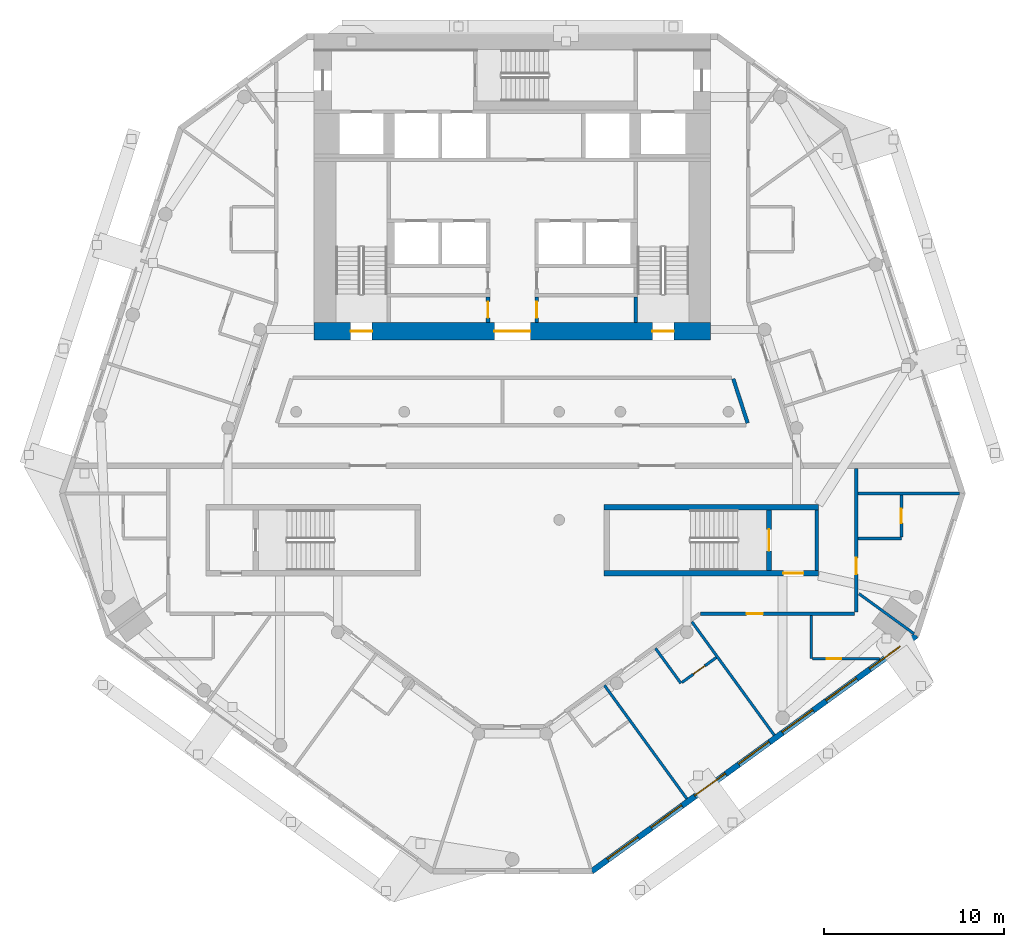
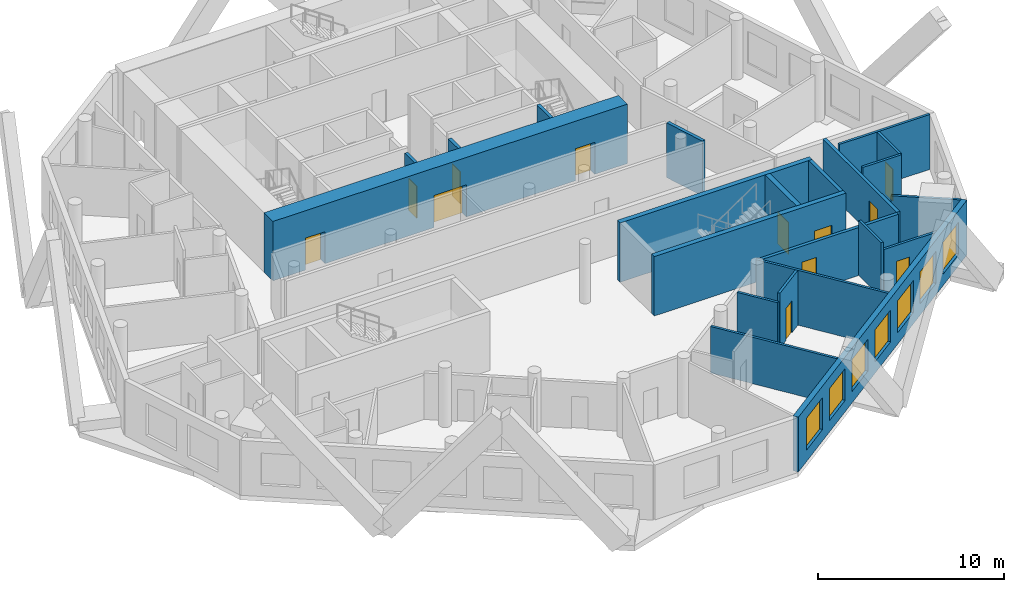
# One storey, part 5 of 10: 22 walls, 12 doors, 7 windows, 19 openings.
"""IFC4 building model written with IfcOpenShell, lengths in metres."""

from ifc_helpers import new_model, si_unit, direction, frame, frame_2d, origin, place, context, subcontext, project, spatial, rectangle, extrude, material, layer, layer_set, type_object, element, fill, save


model = new_model("IFC4")

# Units and contexts
model_context = context("Model", 3, precision=1e-05, world=origin(), true_north=direction((0.0, 1.0)))
body_context = subcontext(model_context, "Body", "Model", "MODEL_VIEW")
ifc_project = project(units=[si_unit("LENGTHUNIT", "METRE"), si_unit("AREAUNIT", "SQUARE_METRE"), si_unit("VOLUMEUNIT", "CUBIC_METRE"), si_unit("PLANEANGLEUNIT", "RADIAN"), si_unit("MASSUNIT", "GRAM", prefix="KILO")], contexts=[model_context])

# Site, building, storey
site_placement = place(None, origin())
site = spatial("IfcSite", under=ifc_project, at=site_placement, CompositionType="ELEMENT")
building_placement = place(site_placement, origin())
building = spatial("IfcBuilding", under=site, at=building_placement, Name="White Candle Pilgrim Tower", CompositionType="ELEMENT")
storey_placement = place(building_placement, frame((0.0, 0.0, 183.699951171875)))
storey = spatial("IfcBuildingStorey", under=building, at=storey_placement, Name="L42", CompositionType="ELEMENT", Elevation=183.699951171875)

# Wall
ifc_material_1 = material(Name="Concrete C60/75", Category="concrete")
ifc_layer_1 = layer(ifc_material_1, 0.199951171875)
ifc_layer_set_1 = layer_set([ifc_layer_1], Name="Core wall 200 mm Concrete C60/75")
wall_type_1 = type_object("IfcWallType", Name="Core wall 200 mm Concrete C60/75", PredefinedType="SHEAR", material=ifc_layer_set_1)
wall_1_placement = place(storey_placement, frame((86.89990234375, 58.199951171875, 0.0), z_axis=(0.0, 0.0, 1.0), x_axis=(0.0, 1.0, 0.0)))
element("IfcWall", 1, at=wall_1_placement, inside=storey, type_object=wall_type_1, Name="WL-L42-C08", PredefinedType="SHEAR", context=body_context, shape_type="SweptSolid", body=[
    extrude(rectangle(XDim=3.35009765625, YDim=0.199951171875, at=frame_2d((1.675048828125, 0.0))), origin(), (0.0, 0.0, 1.0), 3.900146484375),
])

# Wall, opening, door
ifc_material_2 = material(Name="Gypsum board on steel studs", Category="steel")
ifc_layer_2 = layer(ifc_material_2, 0.199951171875)
ifc_layer_set_2 = layer_set([ifc_layer_2], Name="Corridor wall 200 mm EI 45")
wall_type_2 = type_object("IfcWallType", Name="Corridor wall 200 mm EI 45", PredefinedType="PARTITIONING", material=ifc_layer_set_2)
wall_2_placement = place(storey_placement, frame((89.10009765625, 63.85009765625, 0.0), z_axis=(0.0, 0.0, 1.0), x_axis=(0.0, -1.0, 0.0)))
wall_2 = element("IfcWall", 2, at=wall_2_placement, inside=storey, type_object=wall_type_2, Name="WL-L42-P006", PredefinedType="PARTITIONING", context=body_context, shape_type="SweptSolid", body=[
    extrude(rectangle(XDim=7.9501953125, YDim=0.199951171875, at=frame_2d((3.97509765625, 0.0))), origin(), (0.0, 0.0, 1.0), 3.150146484375),
])
opening_1_placement = place(wall_2_placement, frame((4.9619140625, 0.0, 0.0)))
opening_1 = element("IfcOpeningElement", 3, at=opening_1_placement, cuts=wall_2, Name="Opening T13-117", PredefinedType="OPENING", context=body_context, shape_type="SweptSolid", body=[
    extrude(rectangle(XDim=0.89990234375, YDim=2.10009765625, at=frame_2d((0.449951171875, 1.050048828125))), frame((0.0, 0.10986328125, 0.0), z_axis=(0.0, -1.0, 0.0), x_axis=(1.0, 0.0, 0.0)), (0.0, 0.0, 1.0), 0.219970703125),
])
ifc_material_3 = material(Name="Steel door leaf", Category="steel")
door_type_1 = type_object("IfcDoorType", Name="Fire door 900 x 2100 EI 30", OperationType="NOTDEFINED", PredefinedType="DOOR", material=ifc_material_3)
door_1_placement = place(opening_1_placement, origin())
door_1 = element("IfcDoor", 4, at=door_1_placement, inside=storey, type_object=door_type_1, Name="Door T13-117", OperationType="SINGLE_SWING_LEFT", OverallHeight=2.10009765625, OverallWidth=0.89990234375, PredefinedType="DOOR", context=body_context, shape_type="SweptSolid", body=[
    extrude(rectangle(XDim=0.89990234375, YDim=2.10009765625, at=frame_2d((0.449951171875, 1.050048828125))), frame((0.0, 0.02490234375, 0.0), z_axis=(0.0, -1.0, 0.0), x_axis=(1.0, 0.0, 0.0)), (0.0, 0.0, 1.0), 0.050048828125),
])
fill(opening_1, door_1)

wall_3_placement = place(storey_placement, frame((89.0, 55.800048828125, 0.0), z_axis=(0.0, 0.0, 1.0), x_axis=(-1.0, 0.0, 0.0)))
wall_3 = element("IfcWall", 5, at=wall_3_placement, inside=storey, type_object=wall_type_2, Name="WL-L42-P007", PredefinedType="PARTITIONING", context=body_context, shape_type="SweptSolid", body=[
    extrude(rectangle(XDim=8.54296875, YDim=0.199951171875, at=frame_2d((4.271484375, 0.0))), origin(), (0.0, 0.0, 1.0), 3.150146484375),
])
opening_2_placement = place(wall_3_placement, frame((5.087890625, 0.0, 0.0)))
opening_2 = element("IfcOpeningElement", 6, at=opening_2_placement, cuts=wall_3, Name="Opening T13-115", PredefinedType="OPENING", context=body_context, shape_type="SweptSolid", body=[
    extrude(rectangle(XDim=0.89990234375, YDim=2.10009765625, at=frame_2d((0.449951171875, 1.050048828125))), frame((0.0, 0.10986328125, 0.0), z_axis=(0.0, -1.0, 0.0), x_axis=(1.0, 0.0, 0.0)), (0.0, 0.0, 1.0), 0.219970703125),
])
door_2_placement = place(opening_2_placement, origin())
door_2 = element("IfcDoor", 7, at=door_2_placement, inside=storey, type_object=door_type_1, Name="Door T13-115", OperationType="SINGLE_SWING_LEFT", OverallHeight=2.10009765625, OverallWidth=0.89990234375, PredefinedType="DOOR", context=body_context, shape_type="SweptSolid", body=[
    extrude(rectangle(XDim=0.89990234375, YDim=2.10009765625, at=frame_2d((0.449951171875, 1.050048828125))), frame((0.0, 0.02490234375, 0.0), z_axis=(0.0, -1.0, 0.0), x_axis=(1.0, 0.0, 0.0)), (0.0, 0.0, 1.0), 0.050048828125),
])
fill(opening_2, door_2)

# Wall
wall_4_placement = place(storey_placement, frame((83.060791015625, 66.380859375, 0.0), z_axis=(0.0, 0.0, 1.0), x_axis=(-0.308968203288, 0.951072368097, 0.0)))
element("IfcWall", 8, at=wall_4_placement, inside=storey, type_object=wall_type_2, Name="WL-L42-P013", PredefinedType="PARTITIONING", context=body_context, shape_type="SweptSolid", body=[
    extrude(rectangle(XDim=2.575927734375, YDim=0.199951171875, at=frame_2d((1.2880859375, 0.0))), origin(), (0.0, 0.0, 1.0), 3.60009765625),
])

# Wall, openings, windows
ifc_material_4 = material(Name="Precast concrete C40/50", Category="concrete")
ifc_layer_3 = layer(ifc_material_4, 0.320068359375)
ifc_layer_set_3 = layer_set([ifc_layer_3], Name="Facade wall EW1 precast concrete C40/50 pier wall with timber-lined reveals")
wall_type_3 = type_object("IfcWallType", Name="Facade wall EW1 precast concrete C40/50 pier wall with timber-lined reveals", PredefinedType="SOLIDWALL", material=ifc_layer_set_3)
wall_5_placement = place(storey_placement, frame((74.412353515625, 41.493896484375, 0.0), z_axis=(0.0, 0.0, 1.0), x_axis=(0.809019450931, 0.587781871118, 0.0)))
wall_5 = element("IfcWall", 9, at=wall_5_placement, inside=storey, type_object=wall_type_3, Name="Facade wall L42 SE", PredefinedType="SOLIDWALL", context=body_context, shape_type="SweptSolid", body=[
    extrude(rectangle(XDim=22.2724609375, YDim=0.320068359375, at=frame_2d((11.13623046875, 0.0))), origin(), (0.0, 0.0, 1.0), 3.60009765625),
])
opening_3_placement = place(wall_5_placement, frame((1.086181640625, 0.0, 0.75)))
opening_3 = element("IfcOpeningElement", 10, at=opening_3_placement, cuts=wall_5, Name="Opening W3", PredefinedType="OPENING", context=body_context, shape_type="SweptSolid", body=[
    extrude(rectangle(XDim=2.10009765625, YDim=2.10009765625, at=frame_2d((1.050048828125, 1.050048828125))), frame((0.0, 0.169921875, 0.0), z_axis=(0.0, -1.0, 0.0), x_axis=(1.0, 0.0, 0.0)), (0.0, 0.0, 1.0), 0.340087890625),
])
opening_4_placement = place(wall_5_placement, frame((4.086181640625, 0.0, 0.75)))
opening_4 = element("IfcOpeningElement", 11, at=opening_4_placement, cuts=wall_5, Name="Opening W3", PredefinedType="OPENING", context=body_context, shape_type="SweptSolid", body=[
    extrude(rectangle(XDim=2.10009765625, YDim=2.10009765625, at=frame_2d((1.050048828125, 1.050048828125))), frame((0.0, 0.169921875, 0.0), z_axis=(0.0, -1.0, 0.0), x_axis=(1.0, 0.0, 0.0)), (0.0, 0.0, 1.0), 0.340087890625),
])
opening_5_placement = place(wall_5_placement, frame((7.086181640625, 0.0, 0.75)))
opening_5 = element("IfcOpeningElement", 12, at=opening_5_placement, cuts=wall_5, Name="Opening W3", PredefinedType="OPENING", context=body_context, shape_type="SweptSolid", body=[
    extrude(rectangle(XDim=2.10009765625, YDim=2.10009765625, at=frame_2d((1.050048828125, 1.050048828125))), frame((0.0, 0.169921875, 0.0), z_axis=(0.0, -1.0, 0.0), x_axis=(1.0, 0.0, 0.0)), (0.0, 0.0, 1.0), 0.340087890625),
])
opening_6_placement = place(wall_5_placement, frame((10.086181640625, 0.0, 0.75)))
opening_6 = element("IfcOpeningElement", 13, at=opening_6_placement, cuts=wall_5, Name="Opening W3", PredefinedType="OPENING", context=body_context, shape_type="SweptSolid", body=[
    extrude(rectangle(XDim=2.10009765625, YDim=2.10009765625, at=frame_2d((1.050048828125, 1.050048828125))), frame((0.0, 0.169921875, 0.0), z_axis=(0.0, -1.0, 0.0), x_axis=(1.0, 0.0, 0.0)), (0.0, 0.0, 1.0), 0.340087890625),
])
opening_7_placement = place(wall_5_placement, frame((13.086181640625, 0.0, 0.75)))
opening_7 = element("IfcOpeningElement", 14, at=opening_7_placement, cuts=wall_5, Name="Opening W3", PredefinedType="OPENING", context=body_context, shape_type="SweptSolid", body=[
    extrude(rectangle(XDim=2.10009765625, YDim=2.10009765625, at=frame_2d((1.050048828125, 1.050048828125))), frame((0.0, 0.169921875, 0.0), z_axis=(0.0, -1.0, 0.0), x_axis=(1.0, 0.0, 0.0)), (0.0, 0.0, 1.0), 0.340087890625),
])
opening_8_placement = place(wall_5_placement, frame((16.086181640625, 0.0, 0.75)))
opening_8 = element("IfcOpeningElement", 15, at=opening_8_placement, cuts=wall_5, Name="Opening W3", PredefinedType="OPENING", context=body_context, shape_type="SweptSolid", body=[
    extrude(rectangle(XDim=2.10009765625, YDim=2.10009765625, at=frame_2d((1.050048828125, 1.050048828125))), frame((0.0, 0.169921875, 0.0), z_axis=(0.0, -1.0, 0.0), x_axis=(1.0, 0.0, 0.0)), (0.0, 0.0, 1.0), 0.340087890625),
])
opening_9_placement = place(wall_5_placement, frame((19.086181640625, 0.0, 0.75)))
opening_9 = element("IfcOpeningElement", 16, at=opening_9_placement, cuts=wall_5, Name="Opening W3", PredefinedType="OPENING", context=body_context, shape_type="SweptSolid", body=[
    extrude(rectangle(XDim=2.10009765625, YDim=2.10009765625, at=frame_2d((1.050048828125, 1.050048828125))), frame((0.0, 0.169921875, 0.0), z_axis=(0.0, -1.0, 0.0), x_axis=(1.0, 0.0, 0.0)), (0.0, 0.0, 1.0), 0.340087890625),
])
ifc_material_5 = material(Name="Timber frame with triple glazing", Category="wood")
window_type = type_object("IfcWindowType", Name="Window W3 2100x2100 timber frame triple glazing", PartitioningType="SINGLE_PANEL", PredefinedType="WINDOW", material=ifc_material_5)
window_1_placement = place(opening_3_placement, origin())
window_1 = element("IfcWindow", 17, at=window_1_placement, inside=storey, type_object=window_type, Name="Window W3 L42 SE 1", OverallHeight=2.10009765625, OverallWidth=2.10009765625, PartitioningType="SINGLE_PANEL", PredefinedType="WINDOW", context=body_context, shape_type="SweptSolid", body=[
    extrude(rectangle(XDim=2.10009765625, YDim=2.10009765625, at=frame_2d((1.050048828125, 1.050048828125))), frame((0.0, 0.070068359375, 0.0), z_axis=(0.0, -1.0, 0.0), x_axis=(1.0, 0.0, 0.0)), (0.0, 0.0, 1.0), 0.06005859375),
])
fill(opening_3, window_1)
window_2_placement = place(opening_4_placement, origin())
window_2 = element("IfcWindow", 18, at=window_2_placement, inside=storey, type_object=window_type, Name="Window W3 L42 SE 2", OverallHeight=2.10009765625, OverallWidth=2.10009765625, PartitioningType="SINGLE_PANEL", PredefinedType="WINDOW", context=body_context, shape_type="SweptSolid", body=[
    extrude(rectangle(XDim=2.10009765625, YDim=2.10009765625, at=frame_2d((1.050048828125, 1.050048828125))), frame((0.0, 0.070068359375, 0.0), z_axis=(0.0, -1.0, 0.0), x_axis=(1.0, 0.0, 0.0)), (0.0, 0.0, 1.0), 0.06005859375),
])
fill(opening_4, window_2)
window_3_placement = place(opening_5_placement, origin())
window_3 = element("IfcWindow", 19, at=window_3_placement, inside=storey, type_object=window_type, Name="Window W3 L42 SE 3", OverallHeight=2.10009765625, OverallWidth=2.10009765625, PartitioningType="SINGLE_PANEL", PredefinedType="WINDOW", context=body_context, shape_type="SweptSolid", body=[
    extrude(rectangle(XDim=2.10009765625, YDim=2.10009765625, at=frame_2d((1.050048828125, 1.050048828125))), frame((0.0, 0.070068359375, 0.0), z_axis=(0.0, -1.0, 0.0), x_axis=(1.0, 0.0, 0.0)), (0.0, 0.0, 1.0), 0.06005859375),
])
fill(opening_5, window_3)
window_4_placement = place(opening_6_placement, origin())
window_4 = element("IfcWindow", 20, at=window_4_placement, inside=storey, type_object=window_type, Name="Window W3 L42 SE 4", OverallHeight=2.10009765625, OverallWidth=2.10009765625, PartitioningType="SINGLE_PANEL", PredefinedType="WINDOW", context=body_context, shape_type="SweptSolid", body=[
    extrude(rectangle(XDim=2.10009765625, YDim=2.10009765625, at=frame_2d((1.050048828125, 1.050048828125))), frame((0.0, 0.070068359375, 0.0), z_axis=(0.0, -1.0, 0.0), x_axis=(1.0, 0.0, 0.0)), (0.0, 0.0, 1.0), 0.06005859375),
])
fill(opening_6, window_4)
window_5_placement = place(opening_7_placement, origin())
window_5 = element("IfcWindow", 21, at=window_5_placement, inside=storey, type_object=window_type, Name="Window W3 L42 SE 5", OverallHeight=2.10009765625, OverallWidth=2.10009765625, PartitioningType="SINGLE_PANEL", PredefinedType="WINDOW", context=body_context, shape_type="SweptSolid", body=[
    extrude(rectangle(XDim=2.10009765625, YDim=2.10009765625, at=frame_2d((1.050048828125, 1.050048828125))), frame((0.0, 0.070068359375, 0.0), z_axis=(0.0, -1.0, 0.0), x_axis=(1.0, 0.0, 0.0)), (0.0, 0.0, 1.0), 0.06005859375),
])
fill(opening_7, window_5)
window_6_placement = place(opening_8_placement, origin())
window_6 = element("IfcWindow", 22, at=window_6_placement, inside=storey, type_object=window_type, Name="Window W3 L42 SE 6", OverallHeight=2.10009765625, OverallWidth=2.10009765625, PartitioningType="SINGLE_PANEL", PredefinedType="WINDOW", context=body_context, shape_type="SweptSolid", body=[
    extrude(rectangle(XDim=2.10009765625, YDim=2.10009765625, at=frame_2d((1.050048828125, 1.050048828125))), frame((0.0, 0.070068359375, 0.0), z_axis=(0.0, -1.0, 0.0), x_axis=(1.0, 0.0, 0.0)), (0.0, 0.0, 1.0), 0.06005859375),
])
fill(opening_8, window_6)
window_7_placement = place(opening_9_placement, origin())
window_7 = element("IfcWindow", 23, at=window_7_placement, inside=storey, type_object=window_type, Name="Window W3 L42 SE 7", OverallHeight=2.10009765625, OverallWidth=2.10009765625, PartitioningType="SINGLE_PANEL", PredefinedType="WINDOW", context=body_context, shape_type="SweptSolid", body=[
    extrude(rectangle(XDim=2.10009765625, YDim=2.10009765625, at=frame_2d((1.050048828125, 1.050048828125))), frame((0.0, 0.070068359375, 0.0), z_axis=(0.0, -1.0, 0.0), x_axis=(1.0, 0.0, 0.0)), (0.0, 0.0, 1.0), 0.06005859375),
])
fill(opening_9, window_7)

# Wall, opening, door
ifc_layer_4 = layer(ifc_material_2, 0.199951171875)
ifc_layer_set_4 = layer_set([ifc_layer_4], Name="Lobby wall 200 mm EI 60")
wall_type_4 = type_object("IfcWallType", Name="Lobby wall 200 mm EI 60", PredefinedType="PARTITIONING", material=ifc_layer_set_4)
wall_6_placement = place(storey_placement, frame((68.64990234375, 71.949951171875, 0.0), z_axis=(0.0, 0.0, 1.0), x_axis=(0.0, 1.0, 0.0)))
wall_6 = element("IfcWall", 24, at=wall_6_placement, inside=storey, type_object=wall_type_4, Name="WL-L42-C14", PredefinedType="PARTITIONING", context=body_context, shape_type="SweptSolid", body=[
    extrude(rectangle(XDim=1.425048828125, YDim=0.199951171875, at=frame_2d((0.71240234375, 0.0))), origin(), (0.0, 0.0, 1.0), 3.60009765625),
])
opening_10_placement = place(wall_6_placement, frame((0.262451171875, 0.0, 0.0)))
opening_10 = element("IfcOpeningElement", 25, at=opening_10_placement, cuts=wall_6, Name="Opening T13-005", PredefinedType="OPENING", context=body_context, shape_type="SweptSolid", body=[
    extrude(rectangle(XDim=0.89990234375, YDim=2.10009765625, at=frame_2d((0.449951171875, 1.050048828125))), frame((0.0, 0.10986328125, 0.0), z_axis=(0.0, -1.0, 0.0), x_axis=(1.0, 0.0, 0.0)), (0.0, 0.0, 1.0), 0.219970703125),
])
door_3_placement = place(opening_10_placement, origin())
door_3 = element("IfcDoor", 26, at=door_3_placement, inside=storey, type_object=door_type_1, Name="Door T13-005", OperationType="SINGLE_SWING_LEFT", OverallHeight=2.10009765625, OverallWidth=0.89990234375, PredefinedType="DOOR", context=body_context, shape_type="SweptSolid", body=[
    extrude(rectangle(XDim=0.89990234375, YDim=2.10009765625, at=frame_2d((0.449951171875, 1.050048828125))), frame((0.0, 0.02490234375, 0.0), z_axis=(0.0, -1.0, 0.0), x_axis=(1.0, 0.0, 0.0)), (0.0, 0.0, 1.0), 0.050048828125),
])
fill(opening_10, door_3)

wall_7_placement = place(storey_placement, frame((71.35009765625, 71.949951171875, 0.0), z_axis=(0.0, 0.0, 1.0), x_axis=(0.0, 1.0, 0.0)))
wall_7 = element("IfcWall", 27, at=wall_7_placement, inside=storey, type_object=wall_type_4, Name="WL-L42-C15", PredefinedType="PARTITIONING", context=body_context, shape_type="SweptSolid", body=[
    extrude(rectangle(XDim=1.425048828125, YDim=0.199951171875, at=frame_2d((0.71240234375, 0.0))), origin(), (0.0, 0.0, 1.0), 3.60009765625),
])
opening_11_placement = place(wall_7_placement, frame((0.262451171875, 0.0, 0.0)))
opening_11 = element("IfcOpeningElement", 28, at=opening_11_placement, cuts=wall_7, Name="Opening T13-007", PredefinedType="OPENING", context=body_context, shape_type="SweptSolid", body=[
    extrude(rectangle(XDim=0.89990234375, YDim=2.10009765625, at=frame_2d((0.449951171875, 1.050048828125))), frame((0.0, 0.10986328125, 0.0), z_axis=(0.0, -1.0, 0.0), x_axis=(1.0, 0.0, 0.0)), (0.0, 0.0, 1.0), 0.219970703125),
])
door_4_placement = place(opening_11_placement, origin())
door_4 = element("IfcDoor", 29, at=door_4_placement, inside=storey, type_object=door_type_1, Name="Door T13-007", OperationType="SINGLE_SWING_LEFT", OverallHeight=2.10009765625, OverallWidth=0.89990234375, PredefinedType="DOOR", context=body_context, shape_type="SweptSolid", body=[
    extrude(rectangle(XDim=0.89990234375, YDim=2.10009765625, at=frame_2d((0.449951171875, 1.050048828125))), frame((0.0, 0.02490234375, 0.0), z_axis=(0.0, -1.0, 0.0), x_axis=(1.0, 0.0, 0.0)), (0.0, 0.0, 1.0), 0.050048828125),
])
fill(opening_11, door_4)

# Walls
ifc_layer_5 = layer(ifc_material_2, 0.14990234375)
ifc_layer_set_5 = layer_set([ifc_layer_5], Name="Partition 150 mm EI 60")
wall_type_5 = type_object("IfcWallType", Name="Partition 150 mm EI 60", PredefinedType="PARTITIONING", material=ifc_layer_set_5)
wall_8_placement = place(storey_placement, frame((92.294921875, 54.68408203125, 0.0), z_axis=(0.0, 0.0, 1.0), x_axis=(-0.808982372667, 0.587832902034, 0.0)))
element("IfcWall", 30, at=wall_8_placement, inside=storey, type_object=wall_type_5, Name="WL-L42-P022", PredefinedType="PARTITIONING", context=body_context, shape_type="SweptSolid", body=[
    extrude(rectangle(XDim=3.771240234375, YDim=0.14990234375, at=frame_2d((1.8857421875, 0.0))), origin(), (0.0, 0.0, 1.0), 3.60009765625),
])
wall_9_placement = place(storey_placement, frame((94.824951171875, 62.470703125, 0.0), z_axis=(0.0, 0.0, 1.0), x_axis=(-1.0, 0.0, 0.0)))
element("IfcWall", 31, at=wall_9_placement, inside=storey, type_object=wall_type_5, Name="WL-L42-P023", PredefinedType="PARTITIONING", context=body_context, shape_type="SweptSolid", body=[
    extrude(rectangle(XDim=5.625, YDim=0.14990234375, at=frame_2d((2.8125, 0.0))), origin(), (0.0, 0.0, 1.0), 3.60009765625),
])
wall_10_placement = place(storey_placement, frame((79.68701171875, 45.52392578125, 0.0), z_axis=(0.0, 0.0, 1.0), x_axis=(-0.587785397819, 0.809016888643, 0.0)))
element("IfcWall", 32, at=wall_10_placement, inside=storey, type_object=wall_type_5, Name="WL-L42-P041", PredefinedType="PARTITIONING", context=body_context, shape_type="SweptSolid", body=[
    extrude(rectangle(XDim=7.780029296875, YDim=0.14990234375, at=frame_2d((3.89013671875, 0.0))), origin(), (0.0, 0.0, 1.0), 3.050048828125),
])
wall_11_placement = place(storey_placement, frame((84.541259765625, 49.05078125, 0.0), z_axis=(0.0, 0.0, 1.0), x_axis=(-0.587785397819, 0.809016888643, 0.0)))
element("IfcWall", 33, at=wall_11_placement, inside=storey, type_object=wall_type_5, Name="WL-L42-P042", PredefinedType="PARTITIONING", context=body_context, shape_type="SweptSolid", body=[
    extrude(rectangle(XDim=7.780029296875, YDim=0.14990234375, at=frame_2d((3.89013671875, 0.0))), origin(), (0.0, 0.0, 1.0), 3.60009765625),
])
wall_12_placement = place(storey_placement, frame((77.945556640625, 53.87548828125, 0.0), z_axis=(0.0, 0.0, 1.0), x_axis=(0.587772420479, -0.809026317077, 0.0)))
element("IfcWall", 34, at=wall_12_placement, inside=storey, type_object=wall_type_5, Name="WL-L42-P045", PredefinedType="PARTITIONING", context=body_context, shape_type="SweptSolid", body=[
    extrude(rectangle(XDim=2.39990234375, YDim=0.14990234375, at=frame_2d((1.199951171875, 0.0))), origin(), (0.0, 0.0, 1.0), 3.050048828125),
])

# Wall, opening, door
wall_13_placement = place(storey_placement, frame((81.318115234375, 53.359130859375, 0.0), z_axis=(0.0, 0.0, 1.0), x_axis=(-0.808996573949, -0.587813357571, 0.0)))
wall_13 = element("IfcWall", 35, at=wall_13_placement, inside=storey, type_object=wall_type_5, Name="WL-L42-P046", PredefinedType="PARTITIONING", context=body_context, shape_type="SweptSolid", body=[
    extrude(rectangle(XDim=2.35009765625, YDim=0.14990234375, at=frame_2d((1.175048828125, 0.0))), origin(), (0.0, 0.0, 1.0), 3.60009765625),
])
opening_12_placement = place(wall_13_placement, frame((0.77490234375, 0.0, 0.0)))
opening_12 = element("IfcOpeningElement", 36, at=opening_12_placement, cuts=wall_13, Name="Opening T13-112", PredefinedType="OPENING", context=body_context, shape_type="SweptSolid", body=[
    extrude(rectangle(XDim=0.800048828125, YDim=2.10009765625, at=frame_2d((0.39990234375, 1.050048828125))), frame((0.0, 0.0849609375, 0.0), z_axis=(0.0, -1.0, 0.0), x_axis=(1.0, 0.0, 0.0)), (0.0, 0.0, 1.0), 0.169921875),
])
door_type_2 = type_object("IfcDoorType", Name="Fire door 800 x 2100 EI 30", OperationType="NOTDEFINED", PredefinedType="DOOR", material=ifc_material_3)
door_5_placement = place(opening_12_placement, origin())
door_5 = element("IfcDoor", 37, at=door_5_placement, inside=storey, type_object=door_type_2, Name="Door T13-112", OperationType="SINGLE_SWING_RIGHT", OverallHeight=2.10009765625, OverallWidth=0.800048828125, PredefinedType="DOOR", context=body_context, shape_type="SweptSolid", body=[
    extrude(rectangle(XDim=0.800048828125, YDim=2.10009765625, at=frame_2d((0.39990234375, 1.050048828125))), frame((0.0, 0.02490234375, 0.0), z_axis=(0.0, -1.0, 0.0), x_axis=(1.0, 0.0, 0.0)), (0.0, 0.0, 1.0), 0.050048828125),
])
fill(opening_12, door_5)

# Wall
wall_14_placement = place(storey_placement, frame((86.60009765625, 55.699951171875, 0.0), z_axis=(0.0, 0.0, 1.0), x_axis=(0.0, -1.0, 0.0)))
element("IfcWall", 38, at=wall_14_placement, inside=storey, type_object=wall_type_5, Name="WL-L42-P047", PredefinedType="PARTITIONING", context=body_context, shape_type="SweptSolid", body=[
    extrude(rectangle(XDim=2.39990234375, YDim=0.14990234375, at=frame_2d((1.199951171875, 0.0))), origin(), (0.0, 0.0, 1.0), 3.60009765625),
])

# Wall, opening, door
wall_15_placement = place(storey_placement, frame((90.389892578125, 53.300048828125, 0.0), z_axis=(0.0, 0.0, 1.0), x_axis=(-1.0, 0.0, 0.0)))
wall_15 = element("IfcWall", 39, at=wall_15_placement, inside=storey, type_object=wall_type_5, Name="WL-L42-P048", PredefinedType="PARTITIONING", context=body_context, shape_type="SweptSolid", body=[
    extrude(rectangle(XDim=3.71484375, YDim=0.14990234375, at=frame_2d((1.857421875, 0.0))), origin(), (0.0, 0.0, 1.0), 3.150146484375),
])
opening_13_placement = place(wall_15_placement, frame((2.139892578125, 0.0, 0.0)))
opening_13 = element("IfcOpeningElement", 40, at=opening_13_placement, cuts=wall_15, Name="Opening T13-114", PredefinedType="OPENING", context=body_context, shape_type="SweptSolid", body=[
    extrude(rectangle(XDim=0.800048828125, YDim=2.10009765625, at=frame_2d((0.39990234375, 1.050048828125))), frame((0.0, 0.0849609375, 0.0), z_axis=(0.0, -1.0, 0.0), x_axis=(1.0, 0.0, 0.0)), (0.0, 0.0, 1.0), 0.169921875),
])
door_6_placement = place(opening_13_placement, origin())
door_6 = element("IfcDoor", 41, at=door_6_placement, inside=storey, type_object=door_type_2, Name="Door T13-114", OperationType="SINGLE_SWING_RIGHT", OverallHeight=2.10009765625, OverallWidth=0.800048828125, PredefinedType="DOOR", context=body_context, shape_type="SweptSolid", body=[
    extrude(rectangle(XDim=0.800048828125, YDim=2.10009765625, at=frame_2d((0.39990234375, 1.050048828125))), frame((0.0, 0.02490234375, 0.0), z_axis=(0.0, -1.0, 0.0), x_axis=(1.0, 0.0, 0.0)), (0.0, 0.0, 1.0), 0.050048828125),
])
fill(opening_13, door_6)

# Wall
wall_16_placement = place(storey_placement, frame((89.199951171875, 59.970703125, 0.0), z_axis=(0.0, 0.0, 1.0), x_axis=(1.0, 0.0, 0.0)))
element("IfcWall", 42, at=wall_16_placement, inside=storey, type_object=wall_type_5, Name="WL-L42-P049", PredefinedType="PARTITIONING", context=body_context, shape_type="SweptSolid", body=[
    extrude(rectangle(XDim=2.400146484375, YDim=0.14990234375, at=frame_2d((1.2001953125, 0.0))), origin(), (0.0, 0.0, 1.0), 3.60009765625),
])

# Wall, opening, door
wall_17_placement = place(storey_placement, frame((91.60009765625, 62.395751953125, 0.0), z_axis=(0.0, 0.0, 1.0), x_axis=(0.0, -1.0, 0.0)))
wall_17 = element("IfcWall", 43, at=wall_17_placement, inside=storey, type_object=wall_type_5, Name="WL-L42-P050", PredefinedType="PARTITIONING", context=body_context, shape_type="SweptSolid", body=[
    extrude(rectangle(XDim=2.35009765625, YDim=0.14990234375, at=frame_2d((1.175048828125, 0.0))), origin(), (0.0, 0.0, 1.0), 3.60009765625),
])
opening_14_placement = place(wall_17_placement, frame((0.77490234375, 0.0, 0.0)))
opening_14 = element("IfcOpeningElement", 44, at=opening_14_placement, cuts=wall_17, Name="Opening T13-116", PredefinedType="OPENING", context=body_context, shape_type="SweptSolid", body=[
    extrude(rectangle(XDim=0.800048828125, YDim=2.10009765625, at=frame_2d((0.39990234375, 1.050048828125))), frame((0.0, 0.0849609375, 0.0), z_axis=(0.0, -1.0, 0.0), x_axis=(1.0, 0.0, 0.0)), (0.0, 0.0, 1.0), 0.169921875),
])
door_7_placement = place(opening_14_placement, origin())
door_7 = element("IfcDoor", 45, at=door_7_placement, inside=storey, type_object=door_type_2, Name="Door T13-116", OperationType="SINGLE_SWING_RIGHT", OverallHeight=2.10009765625, OverallWidth=0.800048828125, PredefinedType="DOOR", context=body_context, shape_type="SweptSolid", body=[
    extrude(rectangle(XDim=0.800048828125, YDim=2.10009765625, at=frame_2d((0.39990234375, 1.050048828125))), frame((0.0, 0.02490234375, 0.0), z_axis=(0.0, -1.0, 0.0), x_axis=(1.0, 0.0, 0.0)), (0.0, 0.0, 1.0), 0.050048828125),
])
fill(opening_14, door_7)

# Wall
ifc_layer_6 = layer(ifc_material_1, 0.199951171875)
ifc_layer_set_6 = layer_set([ifc_layer_6], Name="Stair shaft wall 200 mm Concrete C60/75")
wall_type_6 = type_object("IfcWallType", Name="Stair shaft wall 200 mm Concrete C60/75", PredefinedType="SHEAR", material=ifc_layer_set_6)
wall_18_placement = place(storey_placement, frame((76.85009765625, 71.949951171875, 0.0), z_axis=(0.0, 0.0, 1.0), x_axis=(0.0, 1.0, 0.0)))
element("IfcWall", 46, at=wall_18_placement, inside=storey, type_object=wall_type_6, Name="WL-L42-C16", PredefinedType="SHEAR", context=body_context, shape_type="SweptSolid", body=[
    extrude(rectangle(XDim=1.425048828125, YDim=0.199951171875, at=frame_2d((0.71240234375, 0.0))), origin(), (0.0, 0.0, 1.0), 3.900146484375),
])

# Wall, opening, door
ifc_layer_7 = layer(ifc_material_1, 0.300048828125)
ifc_layer_set_7 = layer_set([ifc_layer_7], Name="Stair shaft wall 300 mm Concrete C60/75")
wall_type_7 = type_object("IfcWallType", Name="Stair shaft wall 300 mm Concrete C60/75", PredefinedType="SHEAR", material=ifc_layer_set_7)
wall_19_placement = place(storey_placement, frame((75.10009765625, 58.050048828125, 0.0), z_axis=(0.0, 0.0, 1.0), x_axis=(1.0, 0.0, 0.0)))
wall_19 = element("IfcWall", 47, at=wall_19_placement, inside=storey, type_object=wall_type_7, Name="WL-L42-C02", PredefinedType="SHEAR", context=body_context, shape_type="SweptSolid", body=[
    extrude(rectangle(XDim=11.89990234375, YDim=0.300048828125, at=frame_2d((5.949951171875, 0.0))), origin(), (0.0, 0.0, 1.0), 3.900146484375),
])
opening_15_placement = place(wall_19_placement, frame((9.949951171875, 0.0, 0.0)))
opening_15 = element("IfcOpeningElement", 48, at=opening_15_placement, cuts=wall_19, Name="Opening T13-013", PredefinedType="OPENING", context=body_context, shape_type="SweptSolid", body=[
    extrude(rectangle(XDim=1.10009765625, YDim=2.10009765625, at=frame_2d((0.550048828125, 1.050048828125))), frame((0.0, 0.159912109375, 0.0), z_axis=(0.0, -1.0, 0.0), x_axis=(1.0, 0.0, 0.0)), (0.0, 0.0, 1.0), 0.320068359375),
])
door_type_3 = type_object("IfcDoorType", Name="Fire door 1100 x 2100 EI 60", OperationType="NOTDEFINED", PredefinedType="DOOR", material=ifc_material_3)
door_8_placement = place(opening_15_placement, origin())
door_8 = element("IfcDoor", 49, at=door_8_placement, inside=storey, type_object=door_type_3, Name="Door T13-013", OperationType="SINGLE_SWING_LEFT", OverallHeight=2.10009765625, OverallWidth=1.10009765625, PredefinedType="DOOR", context=body_context, shape_type="SweptSolid", body=[
    extrude(rectangle(XDim=1.10009765625, YDim=2.10009765625, at=frame_2d((0.550048828125, 1.050048828125))), frame((0.0, 0.02490234375, 0.0), z_axis=(0.0, -1.0, 0.0), x_axis=(1.0, 0.0, 0.0)), (0.0, 0.0, 1.0), 0.050048828125),
])
fill(opening_15, door_8)

wall_20_placement = place(storey_placement, frame((84.25, 58.199951171875, 0.0), z_axis=(0.0, 0.0, 1.0), x_axis=(0.0, 1.0, 0.0)))
wall_20 = element("IfcWall", 50, at=wall_20_placement, inside=storey, type_object=wall_type_7, Name="WL-L42-C07", PredefinedType="SHEAR", context=body_context, shape_type="SweptSolid", body=[
    extrude(rectangle(XDim=3.35009765625, YDim=0.300048828125, at=frame_2d((1.675048828125, 0.0))), origin(), (0.0, 0.0, 1.0), 3.900146484375),
])
opening_16_placement = place(wall_20_placement, frame((1.074951171875, 0.0, 0.0)))
opening_16 = element("IfcOpeningElement", 51, at=opening_16_placement, cuts=wall_20, Name="Opening T13-014", PredefinedType="OPENING", context=body_context, shape_type="SweptSolid", body=[
    extrude(rectangle(XDim=1.199951171875, YDim=2.10009765625, at=frame_2d((0.60009765625, 1.050048828125))), frame((0.0, 0.159912109375, 0.0), z_axis=(0.0, -1.0, 0.0), x_axis=(1.0, 0.0, 0.0)), (0.0, 0.0, 1.0), 0.320068359375),
])
door_type_4 = type_object("IfcDoorType", Name="Fire door 1200 x 2100 EI 60", OperationType="NOTDEFINED", PredefinedType="DOOR", material=ifc_material_3)
door_9_placement = place(opening_16_placement, origin())
door_9 = element("IfcDoor", 52, at=door_9_placement, inside=storey, type_object=door_type_4, Name="Door T13-014", OperationType="SINGLE_SWING_RIGHT", OverallHeight=2.10009765625, OverallWidth=1.199951171875, PredefinedType="DOOR", context=body_context, shape_type="SweptSolid", body=[
    extrude(rectangle(XDim=1.199951171875, YDim=2.10009765625, at=frame_2d((0.60009765625, 1.050048828125))), frame((0.0, 0.02490234375, 0.0), z_axis=(0.0, -1.0, 0.0), x_axis=(1.0, 0.0, 0.0)), (0.0, 0.0, 1.0), 0.050048828125),
])
fill(opening_16, door_9)

# Wall
wall_21_placement = place(storey_placement, frame((75.10009765625, 61.699951171875, 0.0), z_axis=(0.0, 0.0, 1.0), x_axis=(1.0, 0.0, 0.0)))
element("IfcWall", 53, at=wall_21_placement, inside=storey, type_object=wall_type_7, Name="WL-L42-C10", PredefinedType="SHEAR", context=body_context, shape_type="SweptSolid", body=[
    extrude(rectangle(XDim=11.89990234375, YDim=0.300048828125, at=frame_2d((5.949951171875, 0.0))), origin(), (0.0, 0.0, 1.0), 3.900146484375),
])

# Wall, openings, doors
ifc_layer_8 = layer(ifc_material_1, 0.949951171875)
ifc_layer_set_8 = layer_set([ifc_layer_8], Name="Stair shaft wall 950 mm Concrete C60/75")
wall_type_8 = type_object("IfcWallType", Name="Stair shaft wall 950 mm Concrete C60/75", PredefinedType="SHEAR", material=ifc_layer_set_8)
wall_22_placement = place(storey_placement, frame((59.0, 71.47509765625, 0.0), z_axis=(0.0, 0.0, 1.0), x_axis=(1.0, 0.0, 0.0)))
wall_22 = element("IfcWall", 54, at=wall_22_placement, inside=storey, type_object=wall_type_8, Name="WL-L42-C11", PredefinedType="SHEAR", context=body_context, shape_type="SweptSolid", body=[
    extrude(rectangle(XDim=22.0, YDim=0.949951171875, at=frame_2d((11.0, 0.0))), origin(), (0.0, 0.0, 1.0), 3.900146484375),
])
opening_17_placement = place(wall_22_placement, frame((2.02490234375, 0.0, 0.0)))
opening_17 = element("IfcOpeningElement", 55, at=opening_17_placement, cuts=wall_22, Name="Opening T13-001", PredefinedType="OPENING", context=body_context, shape_type="SweptSolid", body=[
    extrude(rectangle(XDim=1.199951171875, YDim=2.10009765625, at=frame_2d((0.60009765625, 1.050048828125))), frame((0.0, 0.48486328125, 0.0), z_axis=(0.0, -1.0, 0.0), x_axis=(1.0, 0.0, 0.0)), (0.0, 0.0, 1.0), 0.969970703125),
])
opening_18_placement = place(wall_22_placement, frame((18.77490234375, 0.0, 0.0)))
opening_18 = element("IfcOpeningElement", 56, at=opening_18_placement, cuts=wall_22, Name="Opening T13-002", PredefinedType="OPENING", context=body_context, shape_type="SweptSolid", body=[
    extrude(rectangle(XDim=1.199951171875, YDim=2.10009765625, at=frame_2d((0.60009765625, 1.050048828125))), frame((0.0, 0.48486328125, 0.0), z_axis=(0.0, -1.0, 0.0), x_axis=(1.0, 0.0, 0.0)), (0.0, 0.0, 1.0), 0.969970703125),
])
opening_19_placement = place(wall_22_placement, frame((10.0, 0.0, 0.0)))
opening_19 = element("IfcOpeningElement", 57, at=opening_19_placement, cuts=wall_22, Name="Opening T13-004", PredefinedType="OPENING", context=body_context, shape_type="SweptSolid", body=[
    extrude(rectangle(XDim=2.0, YDim=2.10009765625, at=frame_2d((1.0, 1.050048828125))), frame((0.0, 0.48486328125, 0.0), z_axis=(0.0, -1.0, 0.0), x_axis=(1.0, 0.0, 0.0)), (0.0, 0.0, 1.0), 0.969970703125),
])
door_10_placement = place(opening_17_placement, frame((1.199951171875, 0.0, 0.0), z_axis=(0.0, 0.0, 1.0), x_axis=(-1.0, 0.0, 0.0)))
door_10 = element("IfcDoor", 58, at=door_10_placement, inside=storey, type_object=door_type_4, Name="Door T13-001", OperationType="SINGLE_SWING_RIGHT", OverallHeight=2.10009765625, OverallWidth=1.199951171875, PredefinedType="DOOR", context=body_context, shape_type="SweptSolid", body=[
    extrude(rectangle(XDim=1.199951171875, YDim=2.10009765625, at=frame_2d((0.60009765625, 1.050048828125))), frame((0.0, 0.02490234375, 0.0), z_axis=(0.0, -1.0, 0.0), x_axis=(1.0, 0.0, 0.0)), (0.0, 0.0, 1.0), 0.050048828125),
])
fill(opening_17, door_10)
door_11_placement = place(opening_18_placement, frame((1.199951171875, 0.0, 0.0), z_axis=(0.0, 0.0, 1.0), x_axis=(-1.0, 0.0, 0.0)))
door_11 = element("IfcDoor", 59, at=door_11_placement, inside=storey, type_object=door_type_4, Name="Door T13-002", OperationType="SINGLE_SWING_LEFT", OverallHeight=2.10009765625, OverallWidth=1.199951171875, PredefinedType="DOOR", context=body_context, shape_type="SweptSolid", body=[
    extrude(rectangle(XDim=1.199951171875, YDim=2.10009765625, at=frame_2d((0.60009765625, 1.050048828125))), frame((0.0, 0.02490234375, 0.0), z_axis=(0.0, -1.0, 0.0), x_axis=(1.0, 0.0, 0.0)), (0.0, 0.0, 1.0), 0.050048828125),
])
fill(opening_18, door_11)
door_type_5 = type_object("IfcDoorType", Name="Fire door 2000 x 2100 EI 60", OperationType="NOTDEFINED", PredefinedType="DOOR", material=ifc_material_3)
door_12_placement = place(opening_19_placement, frame((2.0, 0.0, 0.0), z_axis=(0.0, 0.0, 1.0), x_axis=(-1.0, 0.0, 0.0)))
door_12 = element("IfcDoor", 60, at=door_12_placement, inside=storey, type_object=door_type_5, Name="Door T13-004", OperationType="DOUBLE_DOOR_SINGLE_SWING", OverallHeight=2.10009765625, OverallWidth=2.0, PredefinedType="DOOR", context=body_context, shape_type="SweptSolid", body=[
    extrude(rectangle(XDim=2.0, YDim=2.10009765625, at=frame_2d((1.0, 1.050048828125))), frame((0.0, 0.02490234375, 0.0), z_axis=(0.0, -1.0, 0.0), x_axis=(1.0, 0.0, 0.0)), (0.0, 0.0, 1.0), 0.050048828125),
])
fill(opening_19, door_12)

save(model, "model.ifc")
